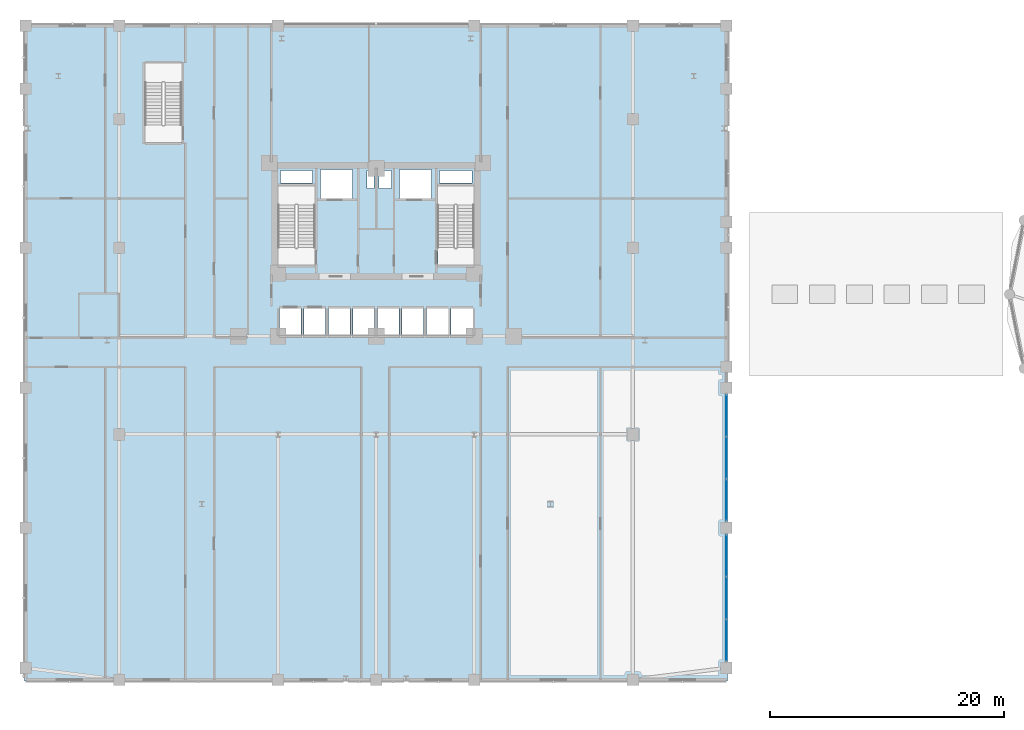
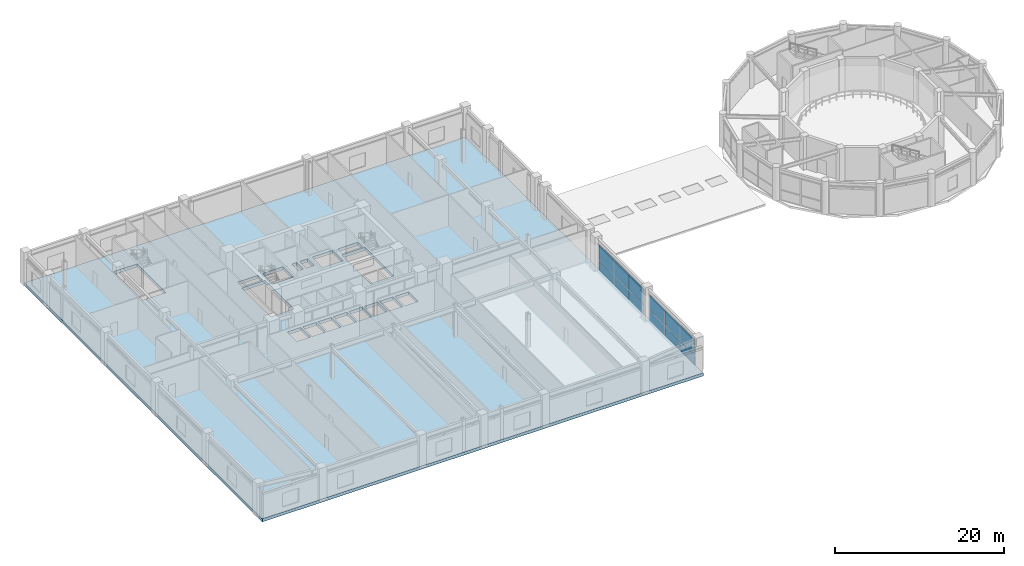
# One storey, part 14 of 34: 12 plates, 1 slab, 2 elements without a shape of their own.
"""IFC4 building model written with IfcOpenShell, lengths in metres."""

from ifc_helpers import new_model, si_unit, derived_unit, direction, frame, origin, origin_2d, place, context, subcontext, project, spatial, polyline, rectangle, outline, extrude, source, transform, mapped, material, layer, layer_set, type_object, element, aggregate, save


model = new_model("IFC4")

# Units and contexts
model_context = context("Model", 3, precision=1e-05, world=origin(), true_north=direction((0.0, 1.0)))
body_context = subcontext(model_context, "Body", "Model", "MODEL_VIEW")
ifc_project = project(units=[si_unit("LENGTHUNIT", "METRE"), si_unit("AREAUNIT", "SQUARE_METRE"), si_unit("VOLUMEUNIT", "CUBIC_METRE"), si_unit("PLANEANGLEUNIT", "RADIAN"), si_unit("MASSUNIT", "GRAM", prefix="KILO"), derived_unit("THERMALTRANSMITTANCEUNIT", [(si_unit("POWERUNIT", "WATT"), 1), (si_unit("LENGTHUNIT", "METRE"), -2), (si_unit("THERMODYNAMICTEMPERATUREUNIT", "KELVIN"), -1)])], contexts=[model_context])

# Site, building, storey
site_placement = place(None, origin())
site = spatial("IfcSite", under=ifc_project, at=site_placement, CompositionType="ELEMENT")
building_placement = place(site_placement, origin())
building = spatial("IfcBuilding", under=site, at=building_placement, Name="Korsvarv Bourse and Concert Hall", CompositionType="ELEMENT")
storey_placement = place(building_placement, frame((0.0, 0.0, 14.39990234375)))
storey = spatial("IfcBuildingStorey", under=building, at=storey_placement, Name="L03", CompositionType="ELEMENT", Elevation=14.39990234375)

# Slab
ifc_material_1 = material(Name="Concrete C55/67", Category="concrete")
ifc_layer_1 = layer(ifc_material_1, 0.449951171875)
ifc_layer_set_1 = layer_set([ifc_layer_1], Name="Concrete C55/67")
slab_type = type_object("IfcSlabType", Name="SLB-TR3", PredefinedType="FLOOR", material=ifc_layer_set_1)
slab_placement = place(storey_placement, frame((0.0, 0.0, -0.449951171875)))
element("IfcSlab", 1, at=slab_placement, inside=storey, type_object=slab_type, Name="L03 exchange podium floor slab", PredefinedType="FLOOR", context=body_context, shape_type="SweptSolid", body=[
    extrude(outline(polyline([(66.10009765625, 2.89990234375), (66.10009765625, 59.10009765625), (5.89990234375, 59.10009765625), (5.89990234375, 2.89990234375), (66.10009765625, 2.89990234375)]), holes=[polyline([(30.760009765625, 38.5), (30.760009765625, 45.300048828125), (27.60009765625, 45.300048828125), (27.60009765625, 38.5), (30.760009765625, 38.5)]), polyline([(44.39990234375, 38.5), (44.39990234375, 45.300048828125), (41.239990234375, 45.300048828125), (41.239990234375, 38.5), (44.39990234375, 38.5)]), polyline([(19.360107421875, 49.0), (19.360107421875, 55.800048828125), (16.199951171875, 55.800048828125), (16.199951171875, 49.0), (19.360107421875, 49.0)]), polyline([(31.239990234375, 44.219970703125), (34.0, 44.219970703125), (34.0, 46.679931640625), (31.239990234375, 46.679931640625), (31.239990234375, 44.219970703125)]), polyline([(38.0, 44.219970703125), (40.760009765625, 44.219970703125), (40.760009765625, 46.679931640625), (38.0, 46.679931640625), (38.0, 44.219970703125)]), polyline([(27.719970703125, 32.52001953125), (29.580078125, 32.52001953125), (29.580078125, 34.780029296875), (27.719970703125, 34.780029296875), (27.719970703125, 32.52001953125)]), polyline([(29.820068359375, 32.52001953125), (31.679931640625, 32.52001953125), (31.679931640625, 34.780029296875), (29.820068359375, 34.780029296875), (29.820068359375, 32.52001953125)]), polyline([(31.919921875, 32.52001953125), (33.780029296875, 32.52001953125), (33.780029296875, 34.780029296875), (31.919921875, 34.780029296875), (31.919921875, 32.52001953125)]), polyline([(34.02001953125, 32.52001953125), (35.8798828125, 32.52001953125), (35.8798828125, 34.780029296875), (34.02001953125, 34.780029296875), (34.02001953125, 32.52001953125)]), polyline([(36.1201171875, 32.52001953125), (37.97998046875, 32.52001953125), (37.97998046875, 34.780029296875), (36.1201171875, 34.780029296875), (36.1201171875, 32.52001953125)]), polyline([(38.219970703125, 32.52001953125), (40.080078125, 32.52001953125), (40.080078125, 34.780029296875), (38.219970703125, 34.780029296875), (38.219970703125, 32.52001953125)]), polyline([(40.320068359375, 32.52001953125), (42.179931640625, 32.52001953125), (42.179931640625, 34.780029296875), (40.320068359375, 34.780029296875), (40.320068359375, 32.52001953125)]), polyline([(42.419921875, 32.52001953125), (44.280029296875, 32.52001953125), (44.280029296875, 34.780029296875), (42.419921875, 34.780029296875), (42.419921875, 32.52001953125)]), polyline([(27.800048828125, 45.56005859375), (30.56005859375, 45.56005859375), (30.56005859375, 46.6201171875), (27.800048828125, 46.6201171875), (27.800048828125, 45.56005859375)]), polyline([(41.43994140625, 45.56005859375), (44.199951171875, 45.56005859375), (44.199951171875, 46.6201171875), (41.43994140625, 46.6201171875), (41.43994140625, 45.56005859375)]), polyline([(35.199951171875, 45.080078125), (35.840087890625, 45.080078125), (35.840087890625, 46.6201171875), (35.199951171875, 46.6201171875), (35.199951171875, 45.080078125)]), polyline([(36.239990234375, 45.080078125), (37.320068359375, 45.080078125), (37.320068359375, 46.6201171875), (36.239990234375, 46.6201171875), (36.239990234375, 45.080078125)])]), origin(), (0.0, 0.0, 1.0), 0.449951171875),
])

# Curtain wall, plates
ifc_material_2 = material(Name="Anodised aluminium and triple low-E glazing", Category="glass")
ifc_layer_2 = layer(ifc_material_2, 0.239990234375)
ifc_layer_set_2 = layer_set([ifc_layer_2], Name="Anodised aluminium and triple low-E glazing")
curtain_wall_type = type_object("IfcCurtainWallType", Name="CW-SYS-5", PredefinedType="NOTDEFINED", material=ifc_layer_set_2)
curtain_wall_1_placement = place(storey_placement, origin())
curtain_wall_1 = element("IfcCurtainWall", 2, at=curtain_wall_1_placement, inside=storey, type_object=curtain_wall_type, Name="L03 CW5 curtain wall CW-L03-E1", PredefinedType="NOTDEFINED")
ifc_material_3 = material(Name="Tempered triple insulated low-E architectural glass", Category="glass")
ifc_layer_3 = layer(ifc_material_3, 0.035888671875)
ifc_layer_set_3 = layer_set([ifc_layer_3], Name="Tempered triple insulated low-E architectural glass")
plate_type = type_object("IfcPlateType", Name="CWP-VIS1", PredefinedType="CURTAIN_PANEL", material=ifc_layer_set_3)
shared_shape_1 = source(origin(), body_context, "Body", "SweptSolid", [
    extrude(rectangle(XDim=3.5283203125, YDim=0.035888671875, at=origin_2d()), origin(), (0.0, 0.0, 1.0), 1.35400390625),
])
plate_1_placement = place(storey_placement, frame((66.0, 6.38427734375, 0.065185546875), z_axis=(0.0, 0.0, 1.0), x_axis=(0.0, 1.0, 0.0)))
plate_1 = element("IfcPlate", 3, at=plate_1_placement, type_object=plate_type, Name="CW5 panel 1.1", PredefinedType="CURTAIN_PANEL", context=body_context, shape_type="MappedRepresentation", body=[
    mapped(shared_shape_1, transform((0.0, 0.0, 0.0), scale=1.0)),
])
plate_2_placement = place(storey_placement, frame((66.0, 13.61572265625, 0.065185546875), z_axis=(0.0, 0.0, 1.0), x_axis=(0.0, 1.0, 0.0)))
plate_2 = element("IfcPlate", 4, at=plate_2_placement, type_object=plate_type, Name="CW5 panel 3.1", PredefinedType="CURTAIN_PANEL", context=body_context, shape_type="MappedRepresentation", body=[
    mapped(shared_shape_1, transform((0.0, 0.0, 0.0), scale=1.0)),
])

curtain_wall_2_placement = place(storey_placement, origin())
curtain_wall_2 = element("IfcCurtainWall", 5, at=curtain_wall_2_placement, inside=storey, type_object=curtain_wall_type, Name="L03 CW5 curtain wall CW-L03-E2-1", PredefinedType="NOTDEFINED")
plate_3_placement = place(storey_placement, frame((66.0, 18.38427734375, 0.065185546875), z_axis=(0.0, 0.0, 1.0), x_axis=(0.0, 1.0, 0.0)))
plate_3 = element("IfcPlate", 6, at=plate_3_placement, type_object=plate_type, Name="CW5 panel 1.1", PredefinedType="CURTAIN_PANEL", context=body_context, shape_type="MappedRepresentation", body=[
    mapped(shared_shape_1, transform((0.0, 0.0, 0.0), scale=1.0)),
])
plate_4_placement = place(storey_placement, frame((66.0, 25.61572265625, 0.065185546875), z_axis=(0.0, 0.0, 1.0), x_axis=(0.0, 1.0, 0.0)))
plate_4 = element("IfcPlate", 7, at=plate_4_placement, type_object=plate_type, Name="CW5 panel 3.1", PredefinedType="CURTAIN_PANEL", context=body_context, shape_type="MappedRepresentation", body=[
    mapped(shared_shape_1, transform((0.0, 0.0, 0.0), scale=1.0)),
])

# Plate
shared_shape_2 = source(origin(), body_context, "Body", "SweptSolid", [
    extrude(rectangle(XDim=3.5283203125, YDim=0.035888671875, at=origin_2d()), origin(), (0.0, 0.0, 1.0), 2.27099609375),
])
plate_5_placement = place(storey_placement, frame((66.0, 6.38427734375, 1.484130859375), z_axis=(0.0, 0.0, 1.0), x_axis=(0.0, 1.0, 0.0)))
plate_5 = element("IfcPlate", 8, at=plate_5_placement, type_object=plate_type, Name="CW5 panel 1.2", PredefinedType="CURTAIN_PANEL", context=body_context, shape_type="MappedRepresentation", body=[
    mapped(shared_shape_2, transform((0.0, 0.0, 0.0), scale=1.0)),
])

plate_6_placement = place(storey_placement, frame((66.0, 13.61572265625, 1.484130859375), z_axis=(0.0, 0.0, 1.0), x_axis=(0.0, 1.0, 0.0)))
plate_6 = element("IfcPlate", 9, at=plate_6_placement, type_object=plate_type, Name="CW5 panel 3.2", PredefinedType="CURTAIN_PANEL", context=body_context, shape_type="MappedRepresentation", body=[
    mapped(shared_shape_2, transform((0.0, 0.0, 0.0), scale=1.0)),
])

plate_7_placement = place(storey_placement, frame((66.0, 18.38427734375, 1.484130859375), z_axis=(0.0, 0.0, 1.0), x_axis=(0.0, 1.0, 0.0)))
plate_7 = element("IfcPlate", 10, at=plate_7_placement, type_object=plate_type, Name="CW5 panel 1.2", PredefinedType="CURTAIN_PANEL", context=body_context, shape_type="MappedRepresentation", body=[
    mapped(shared_shape_2, transform((0.0, 0.0, 0.0), scale=1.0)),
])

plate_8_placement = place(storey_placement, frame((66.0, 25.61572265625, 1.484130859375), z_axis=(0.0, 0.0, 1.0), x_axis=(0.0, 1.0, 0.0)))
plate_8 = element("IfcPlate", 11, at=plate_8_placement, type_object=plate_type, Name="CW5 panel 3.2", PredefinedType="CURTAIN_PANEL", context=body_context, shape_type="MappedRepresentation", body=[
    mapped(shared_shape_2, transform((0.0, 0.0, 0.0), scale=1.0)),
])

shared_shape_3 = source(origin(), body_context, "Body", "SweptSolid", [
    extrude(rectangle(XDim=3.563232421875, YDim=0.035888671875, at=origin_2d()), origin(), (0.0, 0.0, 1.0), 1.35400390625),
])
plate_9_placement = place(storey_placement, frame((66.0, 10.0, 0.065185546875), z_axis=(0.0, 0.0, 1.0), x_axis=(0.0, 1.0, 0.0)))
plate_9 = element("IfcPlate", 12, at=plate_9_placement, type_object=plate_type, Name="CW5 panel 2.1", PredefinedType="CURTAIN_PANEL", context=body_context, shape_type="MappedRepresentation", body=[
    mapped(shared_shape_3, transform((0.0, 0.0, 0.0), scale=1.0)),
])

plate_10_placement = place(storey_placement, frame((66.0, 22.0, 0.065185546875), z_axis=(0.0, 0.0, 1.0), x_axis=(0.0, 1.0, 0.0)))
plate_10 = element("IfcPlate", 13, at=plate_10_placement, type_object=plate_type, Name="CW5 panel 2.1", PredefinedType="CURTAIN_PANEL", context=body_context, shape_type="MappedRepresentation", body=[
    mapped(shared_shape_3, transform((0.0, 0.0, 0.0), scale=1.0)),
])

shared_shape_4 = source(origin(), body_context, "Body", "SweptSolid", [
    extrude(rectangle(XDim=3.563232421875, YDim=0.035888671875, at=origin_2d()), origin(), (0.0, 0.0, 1.0), 2.27099609375),
])
plate_11_placement = place(storey_placement, frame((66.0, 10.0, 1.484130859375), z_axis=(0.0, 0.0, 1.0), x_axis=(0.0, 1.0, 0.0)))
plate_11 = element("IfcPlate", 14, at=plate_11_placement, type_object=plate_type, Name="CW5 panel 2.2", PredefinedType="CURTAIN_PANEL", context=body_context, shape_type="MappedRepresentation", body=[
    mapped(shared_shape_4, transform((0.0, 0.0, 0.0), scale=1.0)),
])

aggregate(curtain_wall_1, [plate_1, plate_5, plate_9, plate_11, plate_2, plate_6])

plate_12_placement = place(storey_placement, frame((66.0, 22.0, 1.484130859375), z_axis=(0.0, 0.0, 1.0), x_axis=(0.0, 1.0, 0.0)))
plate_12 = element("IfcPlate", 15, at=plate_12_placement, type_object=plate_type, Name="CW5 panel 2.2", PredefinedType="CURTAIN_PANEL", context=body_context, shape_type="MappedRepresentation", body=[
    mapped(shared_shape_4, transform((0.0, 0.0, 0.0), scale=1.0)),
])

aggregate(curtain_wall_2, [plate_3, plate_7, plate_10, plate_12, plate_4, plate_8])

save(model, "model.ifc")
